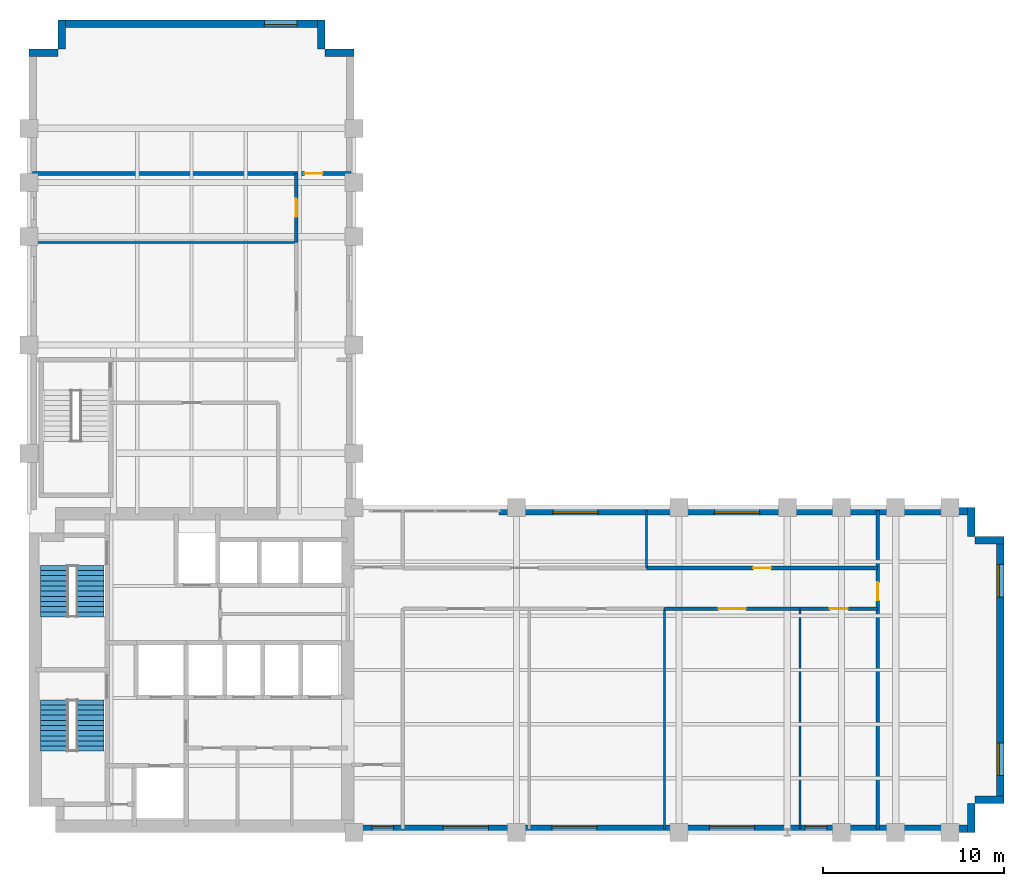
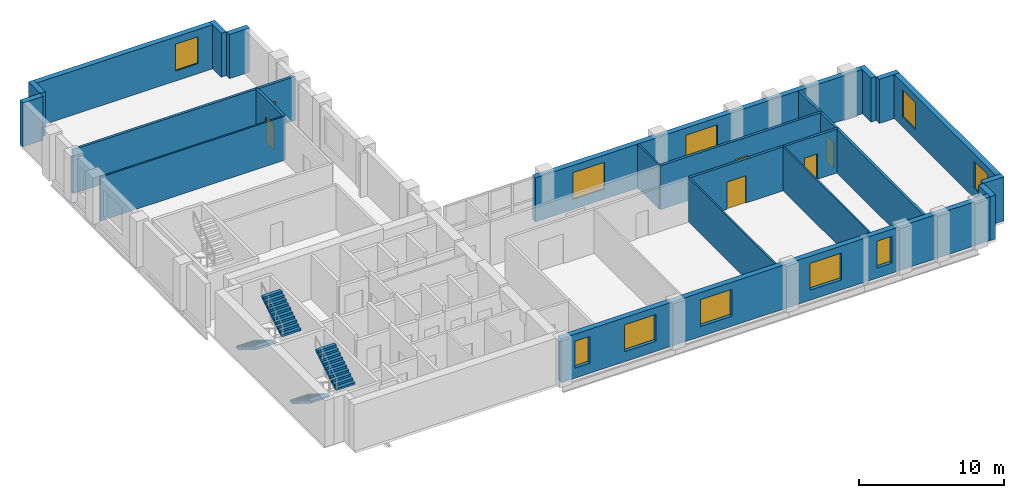
# One storey, part 6 of 8: 22 walls, 10 windows, 6 doors, 4 stair flights, 16 openings, 2 elements without a shape of their own.
"""IFC4 building model written with IfcOpenShell, lengths in metres."""

from ifc_helpers import new_model, si_unit, direction, frame, frame_2d, origin, place, context, subcontext, project, spatial, polyline, rectangle, outline, extrude, material, layer, layer_set, type_object, element, fill, aggregate, save


model = new_model("IFC4")

# Units and contexts
model_context = context("Model", 3, precision=1e-05, world=origin(), true_north=direction((0.0, 1.0)))
body_context = subcontext(model_context, "Body", "Model", "MODEL_VIEW")
ifc_project = project(units=[si_unit("LENGTHUNIT", "METRE"), si_unit("AREAUNIT", "SQUARE_METRE"), si_unit("VOLUMEUNIT", "CUBIC_METRE"), si_unit("PLANEANGLEUNIT", "RADIAN"), si_unit("MASSUNIT", "GRAM", prefix="KILO")], contexts=[model_context])

# Site, building, storey
site_placement = place(None, origin())
site = spatial("IfcSite", under=ifc_project, at=site_placement, CompositionType="ELEMENT")
building_placement = place(site_placement, origin())
building = spatial("IfcBuilding", under=site, at=building_placement, Name="Mawjdan Bourse Tower", CompositionType="ELEMENT")
storey_placement = place(building_placement, frame((0.0, 0.0, 132.300048828125)))
storey = spatial("IfcBuildingStorey", under=building, at=storey_placement, Name="L31", CompositionType="ELEMENT", Elevation=132.300048828125)

# Wall, openings, windows
ifc_material_1 = material(Name="Brick Masonry Buff", Category="masonry")
ifc_layer_1 = layer(ifc_material_1, 0.419921875)
ifc_layer_set_1 = layer_set([ifc_layer_1], Name="Brick Masonry Buff")
wall_type_1 = type_object("IfcWallType", Name="WL-BRK-BUFF-420", PredefinedType="STANDARD", material=ifc_layer_set_1)
wall_1_placement = place(storey_placement, frame((23.89990234375, 3.2099609375, 0.0), z_axis=(0.0, 0.0, 1.0), x_axis=(1.0, 0.0, 0.0)))
wall_1 = element("IfcWall", 1, at=wall_1_placement, inside=storey, type_object=wall_type_1, Name="L31 Exterior Brick Wall 1", PredefinedType="STANDARD", context=body_context, shape_type="SweptSolid", body=[
    extrude(rectangle(XDim=34.5, YDim=0.419921875, at=frame_2d((17.25, 0.0))), origin(), (0.0, 0.0, 1.0), 3.699951171875),
])
opening_1_placement = place(wall_1_placement, frame((11.0712890625, 0.0, 0.85009765625)))
opening_1 = element("IfcOpeningElement", 2, at=opening_1_placement, cuts=wall_1, Name="Opening W-L31-01", PredefinedType="OPENING", context=body_context, shape_type="SweptSolid", body=[
    extrude(rectangle(XDim=2.5, YDim=2.25, at=frame_2d((1.25, 1.125))), frame((0.0, 0.219970703125, 0.0), z_axis=(0.0, -1.0, 0.0), x_axis=(1.0, 0.0, 0.0)), (0.0, 0.0, 1.0), 0.43994140625),
])
opening_2_placement = place(wall_1_placement, frame((1.10009765625, 0.0, 0.85009765625)))
opening_2 = element("IfcOpeningElement", 3, at=opening_2_placement, cuts=wall_1, Name="Opening W-L31-08", PredefinedType="OPENING", context=body_context, shape_type="SweptSolid", body=[
    extrude(rectangle(XDim=1.199951171875, YDim=2.25, at=frame_2d((0.60009765625, 1.125))), frame((0.0, 0.219970703125, 0.0), z_axis=(0.0, -1.0, 0.0), x_axis=(1.0, 0.0, 0.0)), (0.0, 0.0, 1.0), 0.43994140625),
])
opening_3_placement = place(wall_1_placement, frame((5.0361328125, 0.0, 0.85009765625)))
opening_3 = element("IfcOpeningElement", 4, at=opening_3_placement, cuts=wall_1, Name="Opening W-L31-09", PredefinedType="OPENING", context=body_context, shape_type="SweptSolid", body=[
    extrude(rectangle(XDim=2.5, YDim=2.25, at=frame_2d((1.25, 1.125))), frame((0.0, 0.219970703125, 0.0), z_axis=(0.0, -1.0, 0.0), x_axis=(1.0, 0.0, 0.0)), (0.0, 0.0, 1.0), 0.43994140625),
])
opening_4_placement = place(wall_1_placement, frame((19.7861328125, 0.0, 0.85009765625)))
opening_4 = element("IfcOpeningElement", 5, at=opening_4_placement, cuts=wall_1, Name="Opening W-L31-10", PredefinedType="OPENING", context=body_context, shape_type="SweptSolid", body=[
    extrude(rectangle(XDim=2.5, YDim=2.25, at=frame_2d((1.25, 1.125))), frame((0.0, 0.219970703125, 0.0), z_axis=(0.0, -1.0, 0.0), x_axis=(1.0, 0.0, 0.0)), (0.0, 0.0, 1.0), 0.43994140625),
])
opening_5_placement = place(wall_1_placement, frame((25.086181640625, 0.0, 0.85009765625)))
opening_5 = element("IfcOpeningElement", 6, at=opening_5_placement, cuts=wall_1, Name="Opening W-L31-11", PredefinedType="OPENING", context=body_context, shape_type="SweptSolid", body=[
    extrude(rectangle(XDim=1.199951171875, YDim=2.25, at=frame_2d((0.60009765625, 1.125))), frame((0.0, 0.219970703125, 0.0), z_axis=(0.0, -1.0, 0.0), x_axis=(1.0, 0.0, 0.0)), (0.0, 0.0, 1.0), 0.43994140625),
])
ifc_material_2 = material(Name="Solar-Control Clear Double Glazing", Category="glass")
window_type_1 = type_object("IfcWindowType", Name="WN-Z2-1200", PartitioningType="SINGLE_PANEL", PredefinedType="WINDOW", material=ifc_material_2)
window_1_placement = place(opening_2_placement, origin())
window_1 = element("IfcWindow", 7, at=window_1_placement, inside=storey, type_object=window_type_1, Name="L31 Deep-Set Masonry Window W-L31-08", OverallHeight=2.25, OverallWidth=1.199951171875, PartitioningType="SINGLE_PANEL", PredefinedType="WINDOW", context=body_context, shape_type="SweptSolid", body=[
    extrude(rectangle(XDim=1.199951171875, YDim=2.25, at=frame_2d((0.60009765625, 1.125))), frame((0.0, 0.110107421875, 0.0), z_axis=(0.0, -1.0, 0.0), x_axis=(1.0, 0.0, 0.0)), (0.0, 0.0, 1.0), 0.06005859375),
])
fill(opening_2, window_1)
window_2_placement = place(opening_5_placement, origin())
window_2 = element("IfcWindow", 8, at=window_2_placement, inside=storey, type_object=window_type_1, Name="L31 Deep-Set Masonry Window W-L31-11", OverallHeight=2.25, OverallWidth=1.199951171875, PartitioningType="SINGLE_PANEL", PredefinedType="WINDOW", context=body_context, shape_type="SweptSolid", body=[
    extrude(rectangle(XDim=1.199951171875, YDim=2.25, at=frame_2d((0.60009765625, 1.125))), frame((0.0, 0.110107421875, 0.0), z_axis=(0.0, -1.0, 0.0), x_axis=(1.0, 0.0, 0.0)), (0.0, 0.0, 1.0), 0.06005859375),
])
fill(opening_5, window_2)
window_type_2 = type_object("IfcWindowType", Name="WN-Z2-2500", PartitioningType="SINGLE_PANEL", PredefinedType="WINDOW", material=ifc_material_2)
window_3_placement = place(opening_1_placement, origin())
window_3 = element("IfcWindow", 9, at=window_3_placement, inside=storey, type_object=window_type_2, Name="L31 Deep-Set Masonry Window W-L31-01", OverallHeight=2.25, OverallWidth=2.5, PartitioningType="SINGLE_PANEL", PredefinedType="WINDOW", context=body_context, shape_type="SweptSolid", body=[
    extrude(rectangle(XDim=2.5, YDim=2.25, at=frame_2d((1.25, 1.125))), frame((0.0, 0.110107421875, 0.0), z_axis=(0.0, -1.0, 0.0), x_axis=(1.0, 0.0, 0.0)), (0.0, 0.0, 1.0), 0.06005859375),
])
fill(opening_1, window_3)
window_4_placement = place(opening_3_placement, origin())
window_4 = element("IfcWindow", 10, at=window_4_placement, inside=storey, type_object=window_type_2, Name="L31 Deep-Set Masonry Window W-L31-09", OverallHeight=2.25, OverallWidth=2.5, PartitioningType="SINGLE_PANEL", PredefinedType="WINDOW", context=body_context, shape_type="SweptSolid", body=[
    extrude(rectangle(XDim=2.5, YDim=2.25, at=frame_2d((1.25, 1.125))), frame((0.0, 0.110107421875, 0.0), z_axis=(0.0, -1.0, 0.0), x_axis=(1.0, 0.0, 0.0)), (0.0, 0.0, 1.0), 0.06005859375),
])
fill(opening_3, window_4)
window_5_placement = place(opening_4_placement, origin())
window_5 = element("IfcWindow", 11, at=window_5_placement, inside=storey, type_object=window_type_2, Name="L31 Deep-Set Masonry Window W-L31-10", OverallHeight=2.25, OverallWidth=2.5, PartitioningType="SINGLE_PANEL", PredefinedType="WINDOW", context=body_context, shape_type="SweptSolid", body=[
    extrude(rectangle(XDim=2.5, YDim=2.25, at=frame_2d((1.25, 1.125))), frame((0.0, 0.110107421875, 0.0), z_axis=(0.0, -1.0, 0.0), x_axis=(1.0, 0.0, 0.0)), (0.0, 0.0, 1.0), 0.06005859375),
])
fill(opening_4, window_5)

# Walls
for number, where, z_axis, x_axis, name in (
    (12, (58.18994140625, 3.0, 0.0), (0.0, 0.0, 1.0), (0.0, 1.0, 0.0), "L31 Exterior Brick Wall 2"),
    (13, (58.39990234375, 4.81005859375, 0.0), (0.0, 0.0, 1.0), (1.0, 0.0, 0.0), "L31 Exterior Brick Wall 3"),
):
    element("IfcWall", number, at=place(storey_placement, frame(where, z_axis=z_axis, x_axis=x_axis)), inside=storey, type_object=wall_type_1, Name=name, PredefinedType="STANDARD", context=body_context, shape_type="SweptSolid", body=[
        extrude(rectangle(XDim=1.60009765625, YDim=0.419921875, at=frame_2d((0.800048828125, 0.0))), origin(), (0.0, 0.0, 1.0), 3.699951171875),
    ])

# Wall, openings, windows
wall_2_placement = place(storey_placement, frame((59.7900390625, 4.60009765625, 0.0), z_axis=(0.0, 0.0, 1.0), x_axis=(0.0, 1.0, 0.0)))
wall_2 = element("IfcWall", 14, at=wall_2_placement, inside=storey, type_object=wall_type_1, Name="L31 Exterior Brick Wall 4", PredefinedType="STANDARD", context=body_context, shape_type="SweptSolid", body=[
    extrude(rectangle(XDim=14.7998046875, YDim=0.419921875, at=frame_2d((7.39990234375, 0.0))), origin(), (0.0, 0.0, 1.0), 3.699951171875),
])
opening_6_placement = place(wall_2_placement, frame((1.566650390625, 0.0, 0.85009765625)))
opening_6 = element("IfcOpeningElement", 15, at=opening_6_placement, cuts=wall_2, Name="Opening W-L31-02", PredefinedType="OPENING", context=body_context, shape_type="SweptSolid", body=[
    extrude(rectangle(XDim=1.800048828125, YDim=2.25, at=frame_2d((0.89990234375, 1.125))), frame((0.0, 0.219970703125, 0.0), z_axis=(0.0, -1.0, 0.0), x_axis=(1.0, 0.0, 0.0)), (0.0, 0.0, 1.0), 0.43994140625),
])
opening_7_placement = place(wall_2_placement, frame((11.433349609375, 0.0, 0.85009765625)))
opening_7 = element("IfcOpeningElement", 16, at=opening_7_placement, cuts=wall_2, Name="Opening W-L31-03", PredefinedType="OPENING", context=body_context, shape_type="SweptSolid", body=[
    extrude(rectangle(XDim=1.800048828125, YDim=2.25, at=frame_2d((0.89990234375, 1.125))), frame((0.0, 0.219970703125, 0.0), z_axis=(0.0, -1.0, 0.0), x_axis=(1.0, 0.0, 0.0)), (0.0, 0.0, 1.0), 0.43994140625),
])
window_type_3 = type_object("IfcWindowType", Name="WN-Z2-1800", PartitioningType="SINGLE_PANEL", PredefinedType="WINDOW", material=ifc_material_2)
window_6_placement = place(opening_6_placement, origin())
window_6 = element("IfcWindow", 17, at=window_6_placement, inside=storey, type_object=window_type_3, Name="L31 Deep-Set Masonry Window W-L31-02", OverallHeight=2.25, OverallWidth=1.800048828125, PartitioningType="SINGLE_PANEL", PredefinedType="WINDOW", context=body_context, shape_type="SweptSolid", body=[
    extrude(rectangle(XDim=1.800048828125, YDim=2.25, at=frame_2d((0.89990234375, 1.125))), frame((0.0, 0.110107421875, 0.0), z_axis=(0.0, -1.0, 0.0), x_axis=(1.0, 0.0, 0.0)), (0.0, 0.0, 1.0), 0.06005859375),
])
fill(opening_6, window_6)
window_7_placement = place(opening_7_placement, origin())
window_7 = element("IfcWindow", 18, at=window_7_placement, inside=storey, type_object=window_type_3, Name="L31 Deep-Set Masonry Window W-L31-03", OverallHeight=2.25, OverallWidth=1.800048828125, PartitioningType="SINGLE_PANEL", PredefinedType="WINDOW", context=body_context, shape_type="SweptSolid", body=[
    extrude(rectangle(XDim=1.800048828125, YDim=2.25, at=frame_2d((0.89990234375, 1.125))), frame((0.0, 0.110107421875, 0.0), z_axis=(0.0, -1.0, 0.0), x_axis=(1.0, 0.0, 0.0)), (0.0, 0.0, 1.0), 0.06005859375),
])
fill(opening_7, window_7)

# Walls
for number, where, z_axis, x_axis, name in (
    (19, (60.0, 19.18994140625, 0.0), (0.0, 0.0, 1.0), (-1.0, 0.0, 0.0), "L31 Exterior Brick Wall 5"),
    (20, (58.18994140625, 19.39990234375, 0.0), (0.0, 0.0, 1.0), (0.0, 1.0, 0.0), "L31 Exterior Brick Wall 6"),
):
    element("IfcWall", number, at=place(storey_placement, frame(where, z_axis=z_axis, x_axis=x_axis)), inside=storey, type_object=wall_type_1, Name=name, PredefinedType="STANDARD", context=body_context, shape_type="SweptSolid", body=[
        extrude(rectangle(XDim=1.60009765625, YDim=0.419921875, at=frame_2d((0.800048828125, 0.0))), origin(), (0.0, 0.0, 1.0), 3.699951171875),
    ])

# Wall, openings, windows
wall_3_placement = place(storey_placement, frame((58.39990234375, 20.7900390625, 0.0), z_axis=(0.0, 0.0, 1.0), x_axis=(-1.0, 0.0, 0.0)))
wall_3 = element("IfcWall", 21, at=wall_3_placement, inside=storey, type_object=wall_type_1, Name="L31 Exterior Brick Wall 7A", PredefinedType="STANDARD", context=body_context, shape_type="SweptSolid", body=[
    extrude(rectangle(XDim=26.3798828125, YDim=0.419921875, at=frame_2d((13.18994140625, 0.0))), origin(), (0.0, 0.0, 1.0), 3.699951171875),
])
opening_8_placement = place(wall_3_placement, frame((11.93994140625, 0.0, 0.85009765625)))
opening_8 = element("IfcOpeningElement", 22, at=opening_8_placement, cuts=wall_3, Name="Opening W-L31-04", PredefinedType="OPENING", context=body_context, shape_type="SweptSolid", body=[
    extrude(rectangle(XDim=2.5, YDim=2.25, at=frame_2d((1.25, 1.125))), frame((0.0, 0.219970703125, 0.0), z_axis=(0.0, -1.0, 0.0), x_axis=(1.0, 0.0, 0.0)), (0.0, 0.0, 1.0), 0.43994140625),
])
opening_9_placement = place(wall_3_placement, frame((20.88623046875, 0.0, 0.85009765625)))
opening_9 = element("IfcOpeningElement", 23, at=opening_9_placement, cuts=wall_3, Name="Opening W-L31-12", PredefinedType="OPENING", context=body_context, shape_type="SweptSolid", body=[
    extrude(rectangle(XDim=2.5, YDim=2.25, at=frame_2d((1.25, 1.125))), frame((0.0, 0.219970703125, 0.0), z_axis=(0.0, -1.0, 0.0), x_axis=(1.0, 0.0, 0.0)), (0.0, 0.0, 1.0), 0.43994140625),
])
window_8_placement = place(opening_8_placement, origin())
window_8 = element("IfcWindow", 24, at=window_8_placement, inside=storey, type_object=window_type_2, Name="L31 Deep-Set Masonry Window W-L31-04", OverallHeight=2.25, OverallWidth=2.5, PartitioningType="SINGLE_PANEL", PredefinedType="WINDOW", context=body_context, shape_type="SweptSolid", body=[
    extrude(rectangle(XDim=2.5, YDim=2.25, at=frame_2d((1.25, 1.125))), frame((0.0, 0.110107421875, 0.0), z_axis=(0.0, -1.0, 0.0), x_axis=(1.0, 0.0, 0.0)), (0.0, 0.0, 1.0), 0.06005859375),
])
fill(opening_8, window_8)
window_9_placement = place(opening_9_placement, origin())
window_9 = element("IfcWindow", 25, at=window_9_placement, inside=storey, type_object=window_type_2, Name="L31 Deep-Set Masonry Window W-L31-12", OverallHeight=2.25, OverallWidth=2.5, PartitioningType="SINGLE_PANEL", PredefinedType="WINDOW", context=body_context, shape_type="SweptSolid", body=[
    extrude(rectangle(XDim=2.5, YDim=2.25, at=frame_2d((1.25, 1.125))), frame((0.0, 0.110107421875, 0.0), z_axis=(0.0, -1.0, 0.0), x_axis=(1.0, 0.0, 0.0)), (0.0, 0.0, 1.0), 0.06005859375),
])
fill(opening_9, window_9)

# Walls
for number, where, z_axis, x_axis, name in (
    (26, (24.0, 46.18994140625, 0.0), (0.0, 0.0, 1.0), (-1.0, 0.0, 0.0), "L31 Exterior Brick Wall 9"),
    (27, (22.18994140625, 46.39990234375, 0.0), (0.0, 0.0, 1.0), (0.0, 1.0, 0.0), "L31 Exterior Brick Wall 10"),
):
    element("IfcWall", number, at=place(storey_placement, frame(where, z_axis=z_axis, x_axis=x_axis)), inside=storey, type_object=wall_type_1, Name=name, PredefinedType="STANDARD", context=body_context, shape_type="SweptSolid", body=[
        extrude(rectangle(XDim=1.60009765625, YDim=0.419921875, at=frame_2d((0.800048828125, 0.0))), origin(), (0.0, 0.0, 1.0), 3.699951171875),
    ])

# Wall, opening, window
wall_4_placement = place(storey_placement, frame((22.39990234375, 47.7900390625, 0.0), z_axis=(0.0, 0.0, 1.0), x_axis=(-1.0, 0.0, 0.0)))
wall_4 = element("IfcWall", 28, at=wall_4_placement, inside=storey, type_object=wall_type_1, Name="L31 Exterior Brick Wall 11", PredefinedType="STANDARD", context=body_context, shape_type="SweptSolid", body=[
    extrude(rectangle(XDim=14.7998046875, YDim=0.419921875, at=frame_2d((7.39990234375, 0.0))), origin(), (0.0, 0.0, 1.0), 3.699951171875),
])
opening_10_placement = place(wall_4_placement, frame((1.566650390625, 0.0, 0.85009765625)))
opening_10 = element("IfcOpeningElement", 29, at=opening_10_placement, cuts=wall_4, Name="Opening W-L31-06", PredefinedType="OPENING", context=body_context, shape_type="SweptSolid", body=[
    extrude(rectangle(XDim=1.800048828125, YDim=2.25, at=frame_2d((0.89990234375, 1.125))), frame((0.0, 0.219970703125, 0.0), z_axis=(0.0, -1.0, 0.0), x_axis=(1.0, 0.0, 0.0)), (0.0, 0.0, 1.0), 0.43994140625),
])
window_10_placement = place(opening_10_placement, origin())
window_10 = element("IfcWindow", 30, at=window_10_placement, inside=storey, type_object=window_type_3, Name="L31 Deep-Set Masonry Window W-L31-06", OverallHeight=2.25, OverallWidth=1.800048828125, PartitioningType="SINGLE_PANEL", PredefinedType="WINDOW", context=body_context, shape_type="SweptSolid", body=[
    extrude(rectangle(XDim=1.800048828125, YDim=2.25, at=frame_2d((0.89990234375, 1.125))), frame((0.0, 0.110107421875, 0.0), z_axis=(0.0, -1.0, 0.0), x_axis=(1.0, 0.0, 0.0)), (0.0, 0.0, 1.0), 0.06005859375),
])
fill(opening_10, window_10)

# Walls
for number, where, z_axis, x_axis, name in (
    (31, (7.81005859375, 48.0, 0.0), (0.0, 0.0, 1.0), (0.0, -1.0, 0.0), "L31 Exterior Brick Wall 12"),
    (32, (7.60009765625, 46.18994140625, 0.0), (0.0, 0.0, 1.0), (-1.0, 0.0, 0.0), "L31 Exterior Brick Wall 13"),
):
    element("IfcWall", number, at=place(storey_placement, frame(where, z_axis=z_axis, x_axis=x_axis)), inside=storey, type_object=wall_type_1, Name=name, PredefinedType="STANDARD", context=body_context, shape_type="SweptSolid", body=[
        extrude(rectangle(XDim=1.60009765625, YDim=0.419921875, at=frame_2d((0.800048828125, 0.0))), origin(), (0.0, 0.0, 1.0), 3.699951171875),
    ])

# Wall, opening, door
ifc_material_3 = material(Name="Gypsum Fireboard Assembly")
ifc_layer_2 = layer(ifc_material_3, 0.199951171875)
ifc_layer_set_2 = layer_set([ifc_layer_2], Name="Gypsum Fireboard Assembly")
wall_type_2 = type_object("IfcWallType", Name="WL-CMP-200", PredefinedType="PARTITIONING", material=ifc_layer_set_2)
wall_5_placement = place(storey_placement, frame((41.199951171875, 15.39990234375, 0.0), z_axis=(0.0, 0.0, 1.0), x_axis=(1.0, 0.0, 0.0)))
wall_5 = element("IfcWall", 33, at=wall_5_placement, inside=storey, type_object=wall_type_2, Name="L31 Conference Room Corridor Wall", PredefinedType="PARTITIONING", context=body_context, shape_type="SweptSolid", body=[
    extrude(rectangle(XDim=7.5, YDim=0.199951171875, at=frame_2d((3.75, 0.0))), origin(), (0.0, 0.0, 1.0), 3.68994140625),
])
opening_11_placement = place(wall_5_placement, frame((3.0, 0.0, 0.0)))
opening_11 = element("IfcOpeningElement", 34, at=opening_11_placement, cuts=wall_5, Name="Opening D-L31-24", PredefinedType="OPENING", context=body_context, shape_type="SweptSolid", body=[
    extrude(rectangle(XDim=1.5, YDim=2.300048828125, at=frame_2d((0.75, 1.14990234375))), frame((0.0, 0.10986328125, 0.0), z_axis=(0.0, -1.0, 0.0), x_axis=(1.0, 0.0, 0.0)), (0.0, 0.0, 1.0), 0.219970703125),
])
ifc_material_4 = material(Name="Acoustic Glazed Timber", Category="wood")
door_type_1 = type_object("IfcDoorType", Name="DR-CNF-1500", OperationType="DOUBLE_DOOR_SINGLE_SWING", PredefinedType="DOOR", material=ifc_material_4)
door_1_placement = place(opening_11_placement, origin())
door_1 = element("IfcDoor", 35, at=door_1_placement, inside=storey, type_object=door_type_1, Name="L31 Conference Room Door D-L31-24", OperationType="DOUBLE_DOOR_SINGLE_SWING", OverallHeight=2.300048828125, OverallWidth=1.5, PredefinedType="DOOR", context=body_context, shape_type="SweptSolid", body=[
    extrude(rectangle(XDim=1.5, YDim=2.300048828125, at=frame_2d((0.75, 1.14990234375))), frame((0.0, 0.02490234375, 0.0), z_axis=(0.0, -1.0, 0.0), x_axis=(1.0, 0.0, 0.0)), (0.0, 0.0, 1.0), 0.050048828125),
])
fill(opening_11, door_1)

wall_6_placement = place(storey_placement, frame((48.699951171875, 15.39990234375, 0.0), z_axis=(0.0, 0.0, 1.0), x_axis=(1.0, 0.0, 0.0)))
wall_6 = element("IfcWall", 36, at=wall_6_placement, inside=storey, type_object=wall_type_2, Name="L31 Training Room Corridor Wall", PredefinedType="PARTITIONING", context=body_context, shape_type="SweptSolid", body=[
    extrude(rectangle(XDim=4.300048828125, YDim=0.199951171875, at=frame_2d((2.14990234375, 0.0))), origin(), (0.0, 0.0, 1.0), 3.68994140625),
])
opening_12_placement = place(wall_6_placement, frame((1.64990234375, 0.0, 0.0)))
opening_12 = element("IfcOpeningElement", 37, at=opening_12_placement, cuts=wall_6, Name="Opening D-L31-25", PredefinedType="OPENING", context=body_context, shape_type="SweptSolid", body=[
    extrude(rectangle(XDim=1.0, YDim=2.14990234375, at=frame_2d((0.5, 1.074951171875))), frame((0.0, 0.10986328125, 0.0), z_axis=(0.0, -1.0, 0.0), x_axis=(1.0, 0.0, 0.0)), (0.0, 0.0, 1.0), 0.219970703125),
])
ifc_material_5 = material(Name="Hardwood Acoustic Leaf", Category="wood")
door_type_2 = type_object("IfcDoorType", Name="DR-OFC-1000", OperationType="NOTDEFINED", PredefinedType="DOOR", material=ifc_material_5)
door_2_placement = place(opening_12_placement, origin())
door_2 = element("IfcDoor", 38, at=door_2_placement, inside=storey, type_object=door_type_2, Name="L31 Training Room Door D-L31-25", OperationType="SINGLE_SWING_LEFT", OverallHeight=2.14990234375, OverallWidth=1.0, PredefinedType="DOOR", context=body_context, shape_type="SweptSolid", body=[
    extrude(rectangle(XDim=1.0, YDim=2.14990234375, at=frame_2d((0.5, 1.074951171875))), frame((0.0, 0.02490234375, 0.0), z_axis=(0.0, -1.0, 0.0), x_axis=(1.0, 0.0, 0.0)), (0.0, 0.0, 1.0), 0.050048828125),
])
fill(opening_12, door_2)

wall_7_placement = place(storey_placement, frame((40.199951171875, 17.64990234375, 0.0), z_axis=(0.0, 0.0, 1.0), x_axis=(1.0, 0.0, 0.0)))
wall_7 = element("IfcWall", 39, at=wall_7_placement, inside=storey, type_object=wall_type_2, Name="L31 Training Room Corridor Wall", PredefinedType="PARTITIONING", context=body_context, shape_type="SweptSolid", body=[
    extrude(rectangle(XDim=12.800048828125, YDim=0.199951171875, at=frame_2d((6.39990234375, 0.0))), origin(), (0.0, 0.0, 1.0), 3.68994140625),
])
opening_13_placement = place(wall_7_placement, frame((5.89990234375, 0.0, 0.0)))
opening_13 = element("IfcOpeningElement", 40, at=opening_13_placement, cuts=wall_7, Name="Opening D-L31-27", PredefinedType="OPENING", context=body_context, shape_type="SweptSolid", body=[
    extrude(rectangle(XDim=1.0, YDim=2.14990234375, at=frame_2d((0.5, 1.074951171875))), frame((0.0, 0.10986328125, 0.0), z_axis=(0.0, -1.0, 0.0), x_axis=(1.0, 0.0, 0.0)), (0.0, 0.0, 1.0), 0.219970703125),
])
door_3_placement = place(opening_13_placement, origin())
door_3 = element("IfcDoor", 41, at=door_3_placement, inside=storey, type_object=door_type_2, Name="L31 Training Room Door D-L31-27", OperationType="SINGLE_SWING_RIGHT", OverallHeight=2.14990234375, OverallWidth=1.0, PredefinedType="DOOR", context=body_context, shape_type="SweptSolid", body=[
    extrude(rectangle(XDim=1.0, YDim=2.14990234375, at=frame_2d((0.5, 1.074951171875))), frame((0.0, 0.02490234375, 0.0), z_axis=(0.0, -1.0, 0.0), x_axis=(1.0, 0.0, 0.0)), (0.0, 0.0, 1.0), 0.050048828125),
])
fill(opening_13, door_3)

wall_8_placement = place(storey_placement, frame((53.0, 3.179931640625, 0.0), z_axis=(0.0, 0.0, 1.0), x_axis=(0.0, 1.0, 0.0)))
wall_8 = element("IfcWall", 42, at=wall_8_placement, inside=storey, type_object=wall_type_2, Name="L31 East Tip Full Cross Wall", PredefinedType="PARTITIONING", context=body_context, shape_type="SweptSolid", body=[
    extrude(rectangle(XDim=17.64013671875, YDim=0.199951171875, at=frame_2d((8.820068359375, 0.0))), origin(), (0.0, 0.0, 1.0), 3.68994140625),
])
opening_14_placement = place(wall_8_placement, frame((12.675048828125, 0.0, 0.0)))
opening_14 = element("IfcOpeningElement", 43, at=opening_14_placement, cuts=wall_8, Name="Opening D-L31-28", PredefinedType="OPENING", context=body_context, shape_type="SweptSolid", body=[
    extrude(rectangle(XDim=1.0, YDim=2.14990234375, at=frame_2d((0.5, 1.074951171875))), frame((0.0, 0.10986328125, 0.0), z_axis=(0.0, -1.0, 0.0), x_axis=(1.0, 0.0, 0.0)), (0.0, 0.0, 1.0), 0.219970703125),
])
door_4_placement = place(opening_14_placement, origin())
door_4 = element("IfcDoor", 44, at=door_4_placement, inside=storey, type_object=door_type_2, Name="L31 East Tip Hall Door D-L31-28", OperationType="SINGLE_SWING_LEFT", OverallHeight=2.14990234375, OverallWidth=1.0, PredefinedType="DOOR", context=body_context, shape_type="SweptSolid", body=[
    extrude(rectangle(XDim=1.0, YDim=2.14990234375, at=frame_2d((0.5, 1.074951171875))), frame((0.0, 0.02490234375, 0.0), z_axis=(0.0, -1.0, 0.0), x_axis=(1.0, 0.0, 0.0)), (0.0, 0.0, 1.0), 0.050048828125),
])
fill(opening_14, door_4)

wall_9_placement = place(storey_placement, frame((20.800048828125, 35.679931640625, 0.0), z_axis=(0.0, 0.0, 1.0), x_axis=(0.0, 1.0, 0.0)))
wall_9 = element("IfcWall", 45, at=wall_9_placement, inside=storey, type_object=wall_type_2, Name="L31 Conference Room Corridor Wall", PredefinedType="PARTITIONING", context=body_context, shape_type="SweptSolid", body=[
    extrude(rectangle(XDim=3.820068359375, YDim=0.199951171875, at=frame_2d((1.91015625, 0.0))), origin(), (0.0, 0.0, 1.0), 3.68994140625),
])
opening_15_placement = place(wall_9_placement, frame((1.409912109375, 0.0, 0.0)))
opening_15 = element("IfcOpeningElement", 46, at=opening_15_placement, cuts=wall_9, Name="Opening D-L31-31", PredefinedType="OPENING", context=body_context, shape_type="SweptSolid", body=[
    extrude(rectangle(XDim=1.0, YDim=2.14990234375, at=frame_2d((0.5, 1.074951171875))), frame((0.0, 0.10986328125, 0.0), z_axis=(0.0, -1.0, 0.0), x_axis=(1.0, 0.0, 0.0)), (0.0, 0.0, 1.0), 0.219970703125),
])
door_5_placement = place(opening_15_placement, origin())
door_5 = element("IfcDoor", 47, at=door_5_placement, inside=storey, type_object=door_type_2, Name="L31 Conference Room Door D-L31-31", OperationType="SINGLE_SWING_RIGHT", OverallHeight=2.14990234375, OverallWidth=1.0, PredefinedType="DOOR", context=body_context, shape_type="SweptSolid", body=[
    extrude(rectangle(XDim=1.0, YDim=2.14990234375, at=frame_2d((0.5, 1.074951171875))), frame((0.0, 0.02490234375, 0.0), z_axis=(0.0, -1.0, 0.0), x_axis=(1.0, 0.0, 0.0)), (0.0, 0.0, 1.0), 0.050048828125),
])
fill(opening_15, door_5)

wall_10_placement = place(storey_placement, frame((6.179931640625, 39.5, 0.0), z_axis=(0.0, 0.0, 1.0), x_axis=(1.0, 0.0, 0.0)))
wall_10 = element("IfcWall", 48, at=wall_10_placement, inside=storey, type_object=wall_type_2, Name="L31 North Tip Full Cross Wall", PredefinedType="PARTITIONING", context=body_context, shape_type="SweptSolid", body=[
    extrude(rectangle(XDim=17.64013671875, YDim=0.199951171875, at=frame_2d((8.820068359375, 0.0))), origin(), (0.0, 0.0, 1.0), 3.68994140625),
])
opening_16_placement = place(wall_10_placement, frame((15.074951171875, 0.0, 0.0)))
opening_16 = element("IfcOpeningElement", 49, at=opening_16_placement, cuts=wall_10, Name="Opening D-L31-32", PredefinedType="OPENING", context=body_context, shape_type="SweptSolid", body=[
    extrude(rectangle(XDim=1.0, YDim=2.14990234375, at=frame_2d((0.5, 1.074951171875))), frame((0.0, 0.10986328125, 0.0), z_axis=(0.0, -1.0, 0.0), x_axis=(1.0, 0.0, 0.0)), (0.0, 0.0, 1.0), 0.219970703125),
])
door_6_placement = place(opening_16_placement, origin())
door_6 = element("IfcDoor", 50, at=door_6_placement, inside=storey, type_object=door_type_2, Name="L31 North Tip Suite Door D-L31-32", OperationType="SINGLE_SWING_LEFT", OverallHeight=2.14990234375, OverallWidth=1.0, PredefinedType="DOOR", context=body_context, shape_type="SweptSolid", body=[
    extrude(rectangle(XDim=1.0, YDim=2.14990234375, at=frame_2d((0.5, 1.074951171875))), frame((0.0, 0.02490234375, 0.0), z_axis=(0.0, -1.0, 0.0), x_axis=(1.0, 0.0, 0.0)), (0.0, 0.0, 1.0), 0.050048828125),
])
fill(opening_16, door_6)

# Walls
ifc_material_6 = material(Name="Gypsum Partition")
ifc_layer_3 = layer(ifc_material_6, 0.125)
ifc_layer_set_3 = layer_set([ifc_layer_3], Name="Gypsum Partition")
wall_type_3 = type_object("IfcWallType", Name="WL-PRT-125", PredefinedType="PARTITIONING", material=ifc_layer_set_3)
for number, where, z_axis, x_axis, name in (
    (51, (41.199951171875, 3.179931640625, 0.0), (0.0, 0.0, 1.0), (0.0, 1.0, 0.0), "L31 Conference Room Partition"),
    (52, (48.699951171875, 3.179931640625, 0.0), (0.0, 0.0, 1.0), (0.0, 1.0, 0.0), "L31 Training Room Partition"),
):
    element("IfcWall", number, at=place(storey_placement, frame(where, z_axis=z_axis, x_axis=x_axis)), inside=storey, type_object=wall_type_3, Name=name, PredefinedType="PARTITIONING", context=body_context, shape_type="SweptSolid", body=[
        extrude(rectangle(XDim=12.219970703125, YDim=0.125, at=frame_2d((6.10986328125, 0.0))), origin(), (0.0, 0.0, 1.0), 3.68994140625),
    ])
wall_11_placement = place(storey_placement, frame((40.199951171875, 17.64990234375, 0.0), z_axis=(0.0, 0.0, 1.0), x_axis=(0.0, 1.0, 0.0)))
element("IfcWall", 53, at=wall_11_placement, inside=storey, type_object=wall_type_3, Name="L31 Training Room Partition", PredefinedType="PARTITIONING", context=body_context, shape_type="SweptSolid", body=[
    extrude(rectangle(XDim=3.170166015625, YDim=0.125, at=frame_2d((1.5849609375, 0.0))), origin(), (0.0, 0.0, 1.0), 3.68994140625),
])
wall_12_placement = place(storey_placement, frame((6.179931640625, 35.679931640625, 0.0), z_axis=(0.0, 0.0, 1.0), x_axis=(1.0, 0.0, 0.0)))
element("IfcWall", 54, at=wall_12_placement, inside=storey, type_object=wall_type_3, Name="L31 Conference Room Partition", PredefinedType="PARTITIONING", context=body_context, shape_type="SweptSolid", body=[
    extrude(rectangle(XDim=14.6201171875, YDim=0.125, at=frame_2d((7.31005859375, 0.0))), origin(), (0.0, 0.0, 1.0), 3.68994140625),
])

# Stair, stair flights
ifc_material_7 = material(Name="Concrete C50/60", Category="concrete")
stair_type = type_object("IfcStairType", Name="STR-CORE-1500", PredefinedType="HALF_TURN_STAIR", material=ifc_material_7)
stair_1_placement = place(storey_placement, origin())
stair_1 = element("IfcStair", 55, at=stair_1_placement, inside=storey, type_object=stair_type, Name="L31 Exit Stair 1 (Core South-West)", PredefinedType="HALF_TURN_STAIR")
stair_flight_type = type_object("IfcStairFlightType", Name="SFL-RC-1500", PredefinedType="STRAIGHT", material=ifc_material_7)
stair_flight_1_placement = place(storey_placement, frame((7.389892578125, 10.35009765625, 0.0), z_axis=(0.0, 0.0, 1.0), x_axis=(0.0, -1.0, 0.0)))
stair_flight_1 = element("IfcStairFlight", 56, at=stair_flight_1_placement, type_object=stair_flight_type, Name="ST1-L31 flight 1", NumberOfRisers=11, NumberOfTreads=10, PredefinedType="STRAIGHT", RiserHeight=0.177273, TreadLength=0.285, context=body_context, shape_type="SweptSolid", body=[
    extrude(outline(polyline([(0.0, 0.0), (0.0, 0.17724609375), (0.284912109375, 0.17724609375), (0.284912109375, 0.3544921875), (0.570068359375, 0.3544921875), (0.570068359375, 0.53173828125), (0.85498046875, 0.53173828125), (0.85498046875, 0.708984375), (1.139892578125, 0.708984375), (1.139892578125, 0.886474609375), (1.425048828125, 0.886474609375), (1.425048828125, 1.063720703125), (1.7099609375, 1.063720703125), (1.7099609375, 1.240966796875), (1.9951171875, 1.240966796875), (1.9951171875, 1.418212890625), (2.280029296875, 1.418212890625), (2.280029296875, 1.595458984375), (2.56494140625, 1.595458984375), (2.56494140625, 1.772705078125), (2.85009765625, 1.772705078125), (2.85009765625, 1.949951171875), (2.85009765625, 1.58447265625), (0.302734375, 0.0), (0.0, 0.0)])), frame((0.0, 0.75, 0.0), z_axis=(0.0, -1.0, 0.0), x_axis=(1.0, 0.0, 0.0)), (0.0, 0.0, 1.0), 1.5),
])
stair_flight_2_placement = place(storey_placement, frame((9.409912109375, 7.5, 1.949951171875), z_axis=(0.0, 0.0, 1.0), x_axis=(0.0, 1.0, 0.0)))
stair_flight_2 = element("IfcStairFlight", 57, at=stair_flight_2_placement, type_object=stair_flight_type, Name="ST1-L31 flight 2", NumberOfRisers=11, NumberOfTreads=10, PredefinedType="STRAIGHT", RiserHeight=0.177273, TreadLength=0.285, context=body_context, shape_type="SweptSolid", body=[
    extrude(outline(polyline([(0.0, 0.0), (0.0, 0.17724609375), (0.284912109375, 0.17724609375), (0.284912109375, 0.3544921875), (0.570068359375, 0.3544921875), (0.570068359375, 0.53173828125), (0.85498046875, 0.53173828125), (0.85498046875, 0.708984375), (1.139892578125, 0.708984375), (1.139892578125, 0.886474609375), (1.425048828125, 0.886474609375), (1.425048828125, 1.063720703125), (1.7099609375, 1.063720703125), (1.7099609375, 1.240966796875), (1.9951171875, 1.240966796875), (1.9951171875, 1.418212890625), (2.280029296875, 1.418212890625), (2.280029296875, 1.595458984375), (2.56494140625, 1.595458984375), (2.56494140625, 1.772705078125), (2.85009765625, 1.772705078125), (2.85009765625, 1.949951171875), (2.85009765625, 1.58447265625), (0.302734375, 0.0), (0.0, 0.0)])), frame((0.0, 0.75, 0.0), z_axis=(0.0, -1.0, 0.0), x_axis=(1.0, 0.0, 0.0)), (0.0, 0.0, 1.0), 1.5),
])
aggregate(stair_1, [stair_flight_1, stair_flight_2])

stair_2_placement = place(storey_placement, origin())
stair_2 = element("IfcStair", 58, at=stair_2_placement, inside=storey, type_object=stair_type, Name="L31 Exit Stair 2 (Core North-West)", PredefinedType="HALF_TURN_STAIR")
stair_flight_3_placement = place(storey_placement, frame((7.389892578125, 17.7900390625, 0.0), z_axis=(0.0, 0.0, 1.0), x_axis=(0.0, -1.0, 0.0)))
stair_flight_3 = element("IfcStairFlight", 59, at=stair_flight_3_placement, type_object=stair_flight_type, Name="ST2-L31 flight 1", NumberOfRisers=11, NumberOfTreads=10, PredefinedType="STRAIGHT", RiserHeight=0.177273, TreadLength=0.285, context=body_context, shape_type="SweptSolid", body=[
    extrude(outline(polyline([(0.0, 0.0), (0.0, 0.17724609375), (0.284912109375, 0.17724609375), (0.284912109375, 0.3544921875), (0.570068359375, 0.3544921875), (0.570068359375, 0.53173828125), (0.85498046875, 0.53173828125), (0.85498046875, 0.708984375), (1.139892578125, 0.708984375), (1.139892578125, 0.886474609375), (1.425048828125, 0.886474609375), (1.425048828125, 1.063720703125), (1.7099609375, 1.063720703125), (1.7099609375, 1.240966796875), (1.9951171875, 1.240966796875), (1.9951171875, 1.418212890625), (2.280029296875, 1.418212890625), (2.280029296875, 1.595458984375), (2.56494140625, 1.595458984375), (2.56494140625, 1.772705078125), (2.85009765625, 1.772705078125), (2.85009765625, 1.949951171875), (2.85009765625, 1.58447265625), (0.302734375, 0.0), (0.0, 0.0)])), frame((0.0, 0.75, 0.0), z_axis=(0.0, -1.0, 0.0), x_axis=(1.0, 0.0, 0.0)), (0.0, 0.0, 1.0), 1.5),
])
stair_flight_4_placement = place(storey_placement, frame((9.409912109375, 14.93994140625, 1.949951171875), z_axis=(0.0, 0.0, 1.0), x_axis=(0.0, 1.0, 0.0)))
stair_flight_4 = element("IfcStairFlight", 60, at=stair_flight_4_placement, type_object=stair_flight_type, Name="ST2-L31 flight 2", NumberOfRisers=11, NumberOfTreads=10, PredefinedType="STRAIGHT", RiserHeight=0.177273, TreadLength=0.285, context=body_context, shape_type="SweptSolid", body=[
    extrude(outline(polyline([(0.0, 0.0), (0.0, 0.17724609375), (0.284912109375, 0.17724609375), (0.284912109375, 0.3544921875), (0.570068359375, 0.3544921875), (0.570068359375, 0.53173828125), (0.85498046875, 0.53173828125), (0.85498046875, 0.708984375), (1.139892578125, 0.708984375), (1.139892578125, 0.886474609375), (1.425048828125, 0.886474609375), (1.425048828125, 1.063720703125), (1.7099609375, 1.063720703125), (1.7099609375, 1.240966796875), (1.9951171875, 1.240966796875), (1.9951171875, 1.418212890625), (2.280029296875, 1.418212890625), (2.280029296875, 1.595458984375), (2.56494140625, 1.595458984375), (2.56494140625, 1.772705078125), (2.85009765625, 1.772705078125), (2.85009765625, 1.949951171875), (2.85009765625, 1.58447265625), (0.302734375, 0.0), (0.0, 0.0)])), frame((0.0, 0.75, 0.0), z_axis=(0.0, -1.0, 0.0), x_axis=(1.0, 0.0, 0.0)), (0.0, 0.0, 1.0), 1.5),
])
aggregate(stair_2, [stair_flight_3, stair_flight_4])

save(model, "model.ifc")
